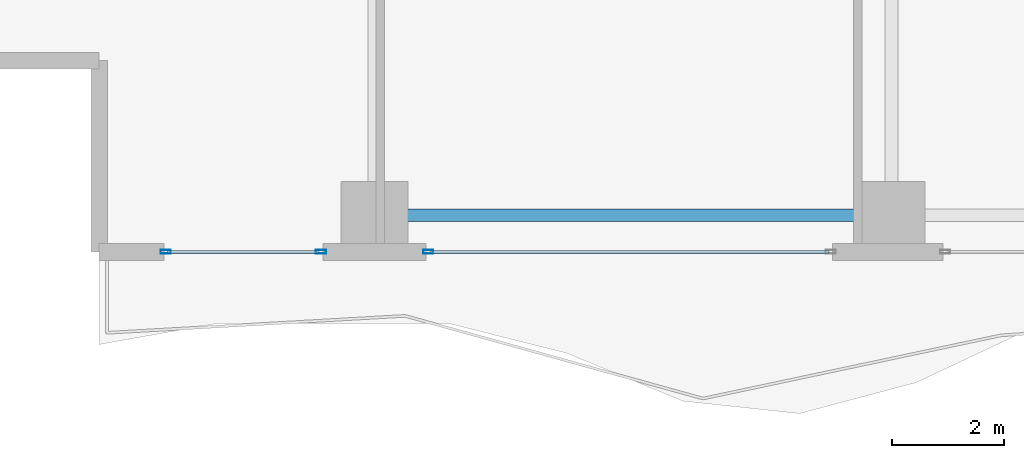
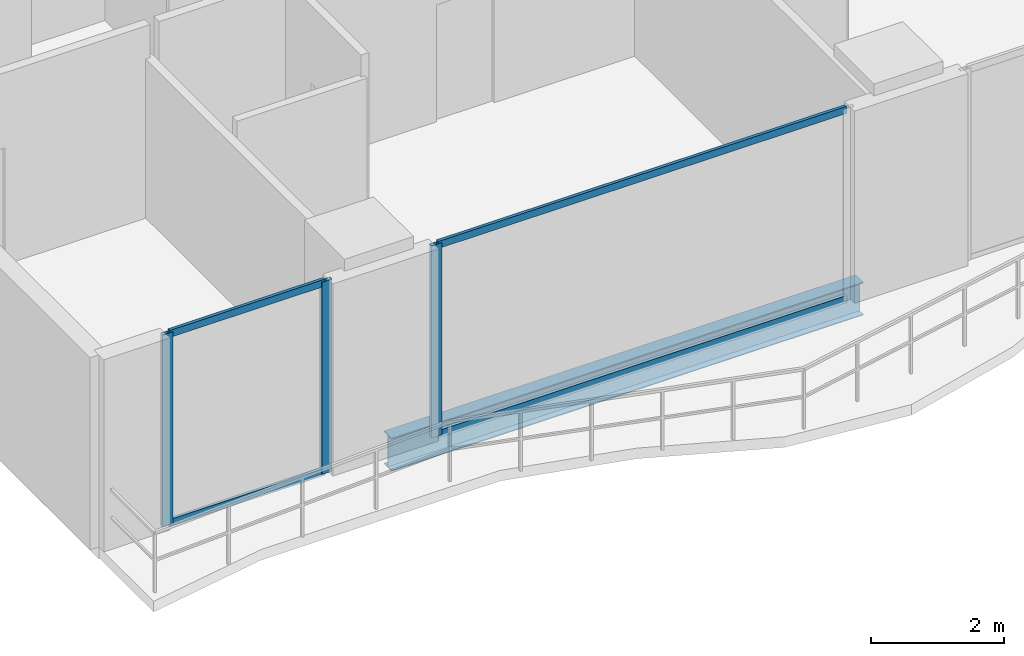
# One storey, part 2 of 32: 7 members, 1 beam, 2 elements without a shape of their own.
"""IFC4 building model written with IfcOpenShell, lengths in metres."""

from ifc_helpers import new_model, si_unit, direction, frame, origin, origin_2d, place, context, subcontext, project, spatial, hollow_rectangle, i_section, extrude, material, layer, layer_set, material_profile, profile_set, type_object, element, aggregate, save


model = new_model("IFC4")

# Units and contexts
model_context = context("Model", 3, precision=1e-05, world=origin(), true_north=direction((0.0, 1.0)))
body_context = subcontext(model_context, "Body", "Model", "MODEL_VIEW")
ifc_project = project(units=[si_unit("LENGTHUNIT", "METRE"), si_unit("AREAUNIT", "SQUARE_METRE"), si_unit("VOLUMEUNIT", "CUBIC_METRE"), si_unit("PLANEANGLEUNIT", "RADIAN"), si_unit("MASSUNIT", "GRAM", prefix="KILO")], contexts=[model_context])

# Site, building, storey
site_placement = place(None, origin())
site = spatial("IfcSite", under=ifc_project, at=site_placement, CompositionType="ELEMENT")
building_placement = place(site_placement, origin())
building = spatial("IfcBuilding", under=site, at=building_placement, Name="Zuhayl Quay Hotel", CompositionType="ELEMENT")
storey_placement = place(building_placement, frame((0.0, 0.0, 181.14990234375)))
storey = spatial("IfcBuildingStorey", under=building, at=storey_placement, Name="L45", CompositionType="ELEMENT", Elevation=181.14990234375)

# Beam
ifc_material_1 = material(Name="Steel ASTM A992 Grade 50", Category="steel")
ifc_material_profile_1 = material_profile(ifc_material_1, i_section(OverallWidth=0.22802734375, OverallDepth=0.60693359375, WebThickness=0.01123046875, FlangeThickness=0.017333984375, at=origin_2d()), Name="W24X76")
ifc_profile_set_1 = profile_set([ifc_material_profile_1], Name="Steel ASTM A992 Grade 50")
beam_type = type_object("IfcBeamType", Name="BM_B3_W24X76", PredefinedType="BEAM", material=ifc_profile_set_1)
beam_placement = place(storey_placement, frame((-13.300048828125, -6.949951171875, -0.5234375), z_axis=(1.0, 0.0, 0.0), x_axis=(0.0, 1.0, 0.0)))
element("IfcBeam", 1, at=beam_placement, inside=storey, type_object=beam_type, Name="L45 Floor Beam RG_L45_01", PredefinedType="BEAM", context=body_context, shape_type="SweptSolid", body=[
    extrude(i_section(OverallWidth=0.22802734375, OverallDepth=0.60693359375, WebThickness=0.01123046875, FlangeThickness=0.017333984375, at=origin_2d()), origin(), (0.0, 0.0, 1.0), 8.199951171875),
])

# Curtain wall, member
ifc_material_2 = material(Name="Anodised Aluminium 6063-T6", Category="aluminium")
ifc_layer = layer(ifc_material_2, 0.175048828125, Name="Anodised Aluminium 6063-T6", Category="aluminium")
ifc_layer_set = layer_set([ifc_layer], Name="Anodised Aluminium 6063-T6")
curtain_wall_type = type_object("IfcCurtainWallType", Name="CW_SYS_Z3", PredefinedType="USERDEFINED", material=ifc_layer_set)
curtain_wall_1_placement = place(storey_placement, origin())
curtain_wall_1 = element("IfcCurtainWall", 2, at=curtain_wall_1_placement, inside=storey, type_object=curtain_wall_type, Name="L45 Curtain Wall ENV_L45_S_CW5", ObjectType="UNITISED CURTAIN WALL", PredefinedType="USERDEFINED")
ifc_material_3 = material(Name="Black-anodised aluminium 6063-T6", Category="aluminium")
ifc_material_profile_2 = material_profile(ifc_material_3, hollow_rectangle(XDim=0.06494140625, YDim=0.179931640625, WallThickness=0.00341796875, at=origin_2d()), Name="ALU180X65")
ifc_profile_set_2 = profile_set([ifc_material_profile_2], Name="Black-anodised aluminium 6063-T6")
member_type_1 = type_object("IfcMemberType", Name="MB_CW_MUL_180", PredefinedType="MULLION", material=ifc_profile_set_2)
member_1_placement = place(storey_placement, frame((-12.847412109375, -7.60009765625, 0.0), z_axis=(0.0, 0.0, 1.0), x_axis=(0.0, -1.0, 0.0)))
member_1 = element("IfcMember", 3, at=member_1_placement, type_object=member_type_1, Name="CW-Z3 mullion 2", PredefinedType="MULLION", context=body_context, shape_type="SweptSolid", body=[
    extrude(hollow_rectangle(XDim=0.06494140625, YDim=0.179931640625, WallThickness=0.00341796875, at=origin_2d()), origin(), (0.0, 0.0, 1.0), 3.530029296875),
])

# Curtain wall, members
curtain_wall_2_placement = place(storey_placement, origin())
curtain_wall_2 = element("IfcCurtainWall", 4, at=curtain_wall_2_placement, inside=storey, type_object=curtain_wall_type, Name="L45 Curtain Wall ENV_L45_S_CW6", ObjectType="UNITISED CURTAIN WALL", PredefinedType="USERDEFINED")
member_2_placement = place(storey_placement, frame((-14.75244140625, -7.60009765625, 0.0), z_axis=(0.0, 0.0, 1.0), x_axis=(0.0, -1.0, 0.0)))
member_2 = element("IfcMember", 5, at=member_2_placement, type_object=member_type_1, Name="CW-Z3 mullion 1", PredefinedType="MULLION", context=body_context, shape_type="SweptSolid", body=[
    extrude(hollow_rectangle(XDim=0.06494140625, YDim=0.179931640625, WallThickness=0.00341796875, at=origin_2d()), origin(), (0.0, 0.0, 1.0), 3.530029296875),
])
member_3_placement = place(storey_placement, frame((-17.517578125, -7.60009765625, 0.0), z_axis=(0.0, 0.0, 1.0), x_axis=(0.0, -1.0, 0.0)))
member_3 = element("IfcMember", 6, at=member_3_placement, type_object=member_type_1, Name="CW-Z3 mullion 2", PredefinedType="MULLION", context=body_context, shape_type="SweptSolid", body=[
    extrude(hollow_rectangle(XDim=0.06494140625, YDim=0.179931640625, WallThickness=0.00341796875, at=origin_2d()), origin(), (0.0, 0.0, 1.0), 3.530029296875),
])

# Member
ifc_material_profile_3 = material_profile(ifc_material_3, hollow_rectangle(XDim=0.054931640625, YDim=0.1298828125, WallThickness=0.0029296875, at=origin_2d()), Name="ALU130X55")
ifc_profile_set_3 = profile_set([ifc_material_profile_3], Name="Black-anodised aluminium 6063-T6")
member_type_2 = type_object("IfcMemberType", Name="MB_CW_TRN_130", PredefinedType="USERDEFINED", material=ifc_profile_set_3)
member_4_placement = place(storey_placement, frame((-5.715087890625, -7.60009765625, 0.027587890625), z_axis=(-1.0, 0.0, 0.0), x_axis=(0.0, -1.0, 0.0)))
member_4 = element("IfcMember", 7, at=member_4_placement, type_object=member_type_2, Name="CW-Z3 transom 1.1", ObjectType="TRANSOM", PredefinedType="USERDEFINED", context=body_context, shape_type="SweptSolid", body=[
    extrude(hollow_rectangle(XDim=0.054931640625, YDim=0.1298828125, WallThickness=0.0029296875, at=origin_2d()), origin(), (0.0, 0.0, 1.0), 7.099853515625),
])

member_5_placement = place(storey_placement, frame((-5.715087890625, -7.60009765625, 3.502685546875), z_axis=(-1.0, 0.0, 0.0), x_axis=(0.0, -1.0, 0.0)))
member_5 = element("IfcMember", 8, at=member_5_placement, type_object=member_type_2, Name="CW-Z3 transom 1.2", ObjectType="TRANSOM", PredefinedType="USERDEFINED", context=body_context, shape_type="SweptSolid", body=[
    extrude(hollow_rectangle(XDim=0.054931640625, YDim=0.1298828125, WallThickness=0.0029296875, at=origin_2d()), origin(), (0.0, 0.0, 1.0), 7.099853515625),
])

aggregate(curtain_wall_1, [member_1, member_4, member_5])

member_6_placement = place(storey_placement, frame((-14.784912109375, -7.60009765625, 0.027587890625), z_axis=(-1.0, 0.0, 0.0), x_axis=(0.0, -1.0, 0.0)))
member_6 = element("IfcMember", 9, at=member_6_placement, type_object=member_type_2, Name="CW-Z3 transom 1.1", ObjectType="TRANSOM", PredefinedType="USERDEFINED", context=body_context, shape_type="SweptSolid", body=[
    extrude(hollow_rectangle(XDim=0.054931640625, YDim=0.1298828125, WallThickness=0.0029296875, at=origin_2d()), origin(), (0.0, 0.0, 1.0), 2.7001953125),
])

member_7_placement = place(storey_placement, frame((-14.784912109375, -7.60009765625, 3.502685546875), z_axis=(-1.0, 0.0, 0.0), x_axis=(0.0, -1.0, 0.0)))
member_7 = element("IfcMember", 10, at=member_7_placement, type_object=member_type_2, Name="CW-Z3 transom 1.2", ObjectType="TRANSOM", PredefinedType="USERDEFINED", context=body_context, shape_type="SweptSolid", body=[
    extrude(hollow_rectangle(XDim=0.054931640625, YDim=0.1298828125, WallThickness=0.0029296875, at=origin_2d()), origin(), (0.0, 0.0, 1.0), 2.7001953125),
])

aggregate(curtain_wall_2, [member_2, member_3, member_6, member_7])

save(model, "model.ifc")
